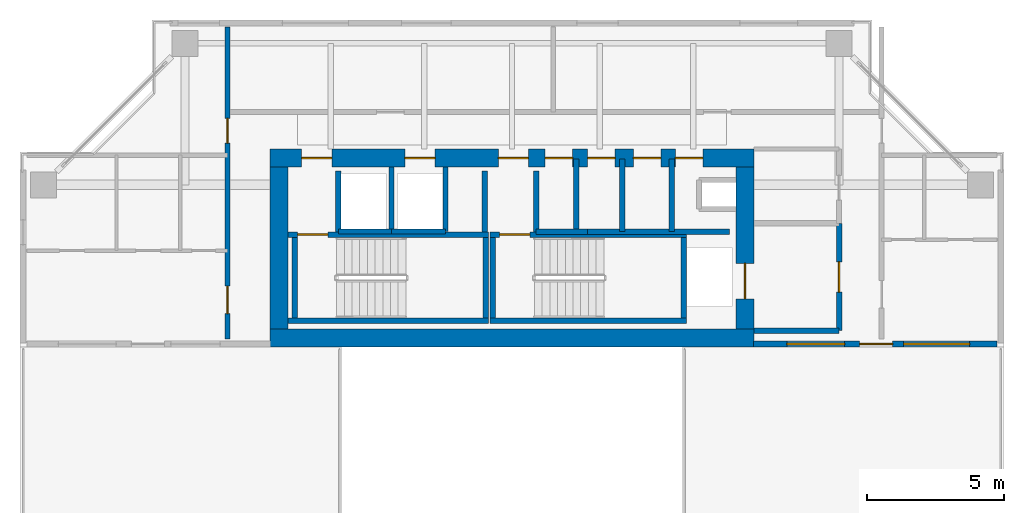
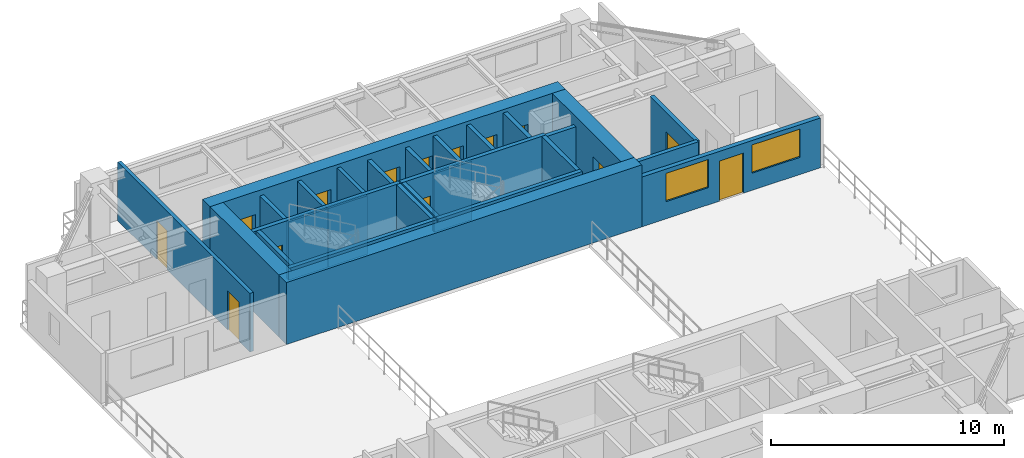
# One storey, part 9 of 14: 28 walls, 14 doors, 2 windows, 16 openings.
"""IFC4 building model written with IfcOpenShell, lengths in metres."""

from ifc_helpers import new_model, si_unit, direction, frame, frame_2d, origin, place, context, subcontext, project, spatial, rectangle, extrude, source, transform, mapped, material, layer, layer_set, type_object, element, fill, save


model = new_model("IFC4")

# Units and contexts
model_context = context("Model", 3, precision=1e-05, world=origin(), true_north=direction((0.0, 1.0)))
body_context = subcontext(model_context, "Body", "Model", "MODEL_VIEW")
ifc_project = project(units=[si_unit("LENGTHUNIT", "METRE"), si_unit("AREAUNIT", "SQUARE_METRE"), si_unit("VOLUMEUNIT", "CUBIC_METRE"), si_unit("PLANEANGLEUNIT", "RADIAN"), si_unit("MASSUNIT", "GRAM", prefix="KILO"), si_unit("THERMODYNAMICTEMPERATUREUNIT", "KELVIN"), si_unit("POWERUNIT", "WATT")], contexts=[model_context])

# Site, building, storey
site_placement = place(None, origin())
site = spatial("IfcSite", under=ifc_project, at=site_placement, CompositionType="ELEMENT")
building_placement = place(site_placement, origin())
building = spatial("IfcBuilding", under=site, at=building_placement, Name="Qiaomeng Ring Towers", CompositionType="ELEMENT")
storey_placement = place(building_placement, frame((0.0, 0.0, 153.5)))
storey = spatial("IfcBuildingStorey", under=building, at=storey_placement, Name="L44", CompositionType="ELEMENT", Elevation=153.5)

# Wall, openings, windows, door
ifc_material_1 = material(Name="Precast concrete C40", Category="concrete")
ifc_layer_1 = layer(ifc_material_1, 0.219970703125, Name="Precast concrete C40")
ifc_layer_set_1 = layer_set([ifc_layer_1], Name="Precast concrete C40")
wall_type_1 = type_object("IfcWallType", Name="ARC-WL-EW2", PredefinedType="STANDARD", material=ifc_layer_set_1)
wall_1_placement = place(storey_placement, frame((27.780029296875, 29.110107421875, 0.0), z_axis=(0.0, 0.0, 1.0), x_axis=(1.0, 0.0, 0.0)))
wall_1 = element("IfcWall", 1, at=wall_1_placement, inside=storey, type_object=wall_type_1, Name="L44 Portal Wing Wall NWING-E", PredefinedType="STANDARD", context=body_context, shape_type="SweptSolid", body=[
    extrude(rectangle(XDim=8.869873046875, YDim=0.219970703125, at=frame_2d((4.43505859375, 0.0))), origin(), (0.0, 0.0, 1.0), 2.610107421875),
])
opening_1_placement = place(wall_1_placement, frame((3.8701171875, 0.0, 0.0)))
opening_1 = element("IfcOpeningElement", 2, at=opening_1_placement, cuts=wall_1, Name="Opening BD1", PredefinedType="OPENING", context=body_context, shape_type="SweptSolid", body=[
    extrude(rectangle(XDim=1.199951171875, YDim=2.10009765625, at=frame_2d((0.60009765625, 1.050048828125))), frame((0.0, 0.119873046875, 0.0), z_axis=(0.0, -1.0, 0.0), x_axis=(1.0, 0.0, 0.0)), (0.0, 0.0, 1.0), 0.239990234375),
])
opening_2_placement = place(wall_1_placement, frame((1.219970703125, 0.0, 0.89990234375)))
opening_2 = element("IfcOpeningElement", 3, at=opening_2_placement, cuts=wall_1, Name="Opening WN4", PredefinedType="OPENING", context=body_context, shape_type="SweptSolid", body=[
    extrude(rectangle(XDim=2.10009765625, YDim=1.47998046875, at=frame_2d((1.050048828125, 0.739990234375))), frame((0.0, 0.119873046875, 0.0), z_axis=(0.0, -1.0, 0.0), x_axis=(1.0, 0.0, 0.0)), (0.0, 0.0, 1.0), 0.239990234375),
])
opening_3_placement = place(wall_1_placement, frame((5.469970703125, 0.0, 0.89990234375)))
opening_3 = element("IfcOpeningElement", 4, at=opening_3_placement, cuts=wall_1, Name="Opening WN6", PredefinedType="OPENING", context=body_context, shape_type="SweptSolid", body=[
    extrude(rectangle(XDim=2.39990234375, YDim=1.47998046875, at=frame_2d((1.199951171875, 0.739990234375))), frame((0.0, 0.119873046875, 0.0), z_axis=(0.0, -1.0, 0.0), x_axis=(1.0, 0.0, 0.0)), (0.0, 0.0, 1.0), 0.239990234375),
])
ifc_material_2 = material(Name="Low-E dark-grey laminated double glazing", Category="glass")
window_type_1 = type_object("IfcWindowType", Name="ARC-WN-4", PartitioningType="TRIPLE_PANEL_VERTICAL", PredefinedType="WINDOW", material=ifc_material_2)
shared_shape_1 = source(origin(), body_context, "Body", "SweptSolid", [
    extrude(rectangle(XDim=2.10009765625, YDim=1.47998046875, at=frame_2d((1.050048828125, 0.739990234375))), frame((0.0, 0.030029296875, 0.0), z_axis=(0.0, -1.0, 0.0), x_axis=(1.0, 0.0, 0.0)), (0.0, 0.0, 1.0), 0.06005859375),
])
window_1_placement = place(opening_2_placement, origin())
window_1 = element("IfcWindow", 5, at=window_1_placement, inside=storey, type_object=window_type_1, Name="L44 Exterior Window WN4", OverallHeight=1.47998046875, OverallWidth=2.10009765625, PartitioningType="TRIPLE_PANEL_VERTICAL", PredefinedType="WINDOW", context=body_context, shape_type="MappedRepresentation", body=[
    mapped(shared_shape_1, transform((0.0, 0.0, 0.0), x_axis=(1.0, 0.0, 0.0), y_axis=(0.0, 1.0, 0.0), z_axis=(0.0, 0.0, 1.0), scale=1.0)),
])
fill(opening_2, window_1)
window_type_2 = type_object("IfcWindowType", Name="ARC-WN-6", PartitioningType="TRIPLE_PANEL_VERTICAL", PredefinedType="WINDOW", material=ifc_material_2)
shared_shape_2 = source(origin(), body_context, "Body", "SweptSolid", [
    extrude(rectangle(XDim=2.39990234375, YDim=1.47998046875, at=frame_2d((1.199951171875, 0.739990234375))), frame((0.0, 0.030029296875, 0.0), z_axis=(0.0, -1.0, 0.0), x_axis=(1.0, 0.0, 0.0)), (0.0, 0.0, 1.0), 0.06005859375),
])
window_2_placement = place(opening_3_placement, origin())
window_2 = element("IfcWindow", 6, at=window_2_placement, inside=storey, type_object=window_type_2, Name="L44 Exterior Window WN6", OverallHeight=1.47998046875, OverallWidth=2.39990234375, PartitioningType="TRIPLE_PANEL_VERTICAL", PredefinedType="WINDOW", context=body_context, shape_type="MappedRepresentation", body=[
    mapped(shared_shape_2, transform((0.0, 0.0, 0.0), x_axis=(1.0, 0.0, 0.0), y_axis=(0.0, 1.0, 0.0), z_axis=(0.0, 0.0, 1.0), scale=1.0)),
])
fill(opening_3, window_2)
door_type_1 = type_object("IfcDoorType", Name="ARC-DR-BD1", OperationType="NOTDEFINED", PredefinedType="DOOR", material=ifc_material_2)
shared_shape_3 = source(origin(), body_context, "Body", "SweptSolid", [
    extrude(rectangle(XDim=1.199951171875, YDim=2.10009765625, at=frame_2d((0.60009765625, 1.050048828125))), frame((0.0, 0.02490234375, 0.0), z_axis=(0.0, -1.0, 0.0), x_axis=(1.0, 0.0, 0.0)), (0.0, 0.0, 1.0), 0.050048828125),
])
door_1_placement = place(opening_1_placement, frame((1.199951171875, 0.0, 0.0), z_axis=(0.0, 0.0, 1.0), x_axis=(-1.0, 0.0, 0.0)))
door_1 = element("IfcDoor", 7, at=door_1_placement, inside=storey, type_object=door_type_1, Name="L44 Void-Portal Terrace Door NWING-E", OperationType="SINGLE_SWING_LEFT", OverallHeight=2.10009765625, OverallWidth=1.199951171875, PredefinedType="DOOR", context=body_context, shape_type="MappedRepresentation", body=[
    mapped(shared_shape_3, transform((0.0, 0.0, 0.0), x_axis=(1.0, 0.0, 0.0), y_axis=(0.0, 1.0, 0.0), z_axis=(0.0, 0.0, 1.0), scale=1.0)),
])
fill(opening_1, door_1)

# Wall
ifc_material_3 = material(Name="Autoclaved aerated concrete block", Category="concrete")
ifc_layer_2 = layer(ifc_material_3, 0.199951171875, Name="Autoclaved aerated concrete block")
ifc_layer_set_2 = layer_set([ifc_layer_2], Name="Autoclaved aerated concrete block")
wall_type_2 = type_object("IfcWallType", Name="ARC-WL-PW1", PredefinedType="PARTITIONING", material=ifc_layer_set_2)
wall_2_placement = place(storey_placement, frame((27.800048828125, 29.60009765625, 0.0), z_axis=(0.0, 0.0, 1.0), x_axis=(1.0, 0.0, 0.0)))
element("IfcWall", 8, at=wall_2_placement, inside=storey, type_object=wall_type_2, Name="L44 Interior Wall PW1", PredefinedType="PARTITIONING", context=body_context, shape_type="SweptSolid", body=[
    extrude(rectangle(XDim=3.099853515625, YDim=0.199951171875, at=frame_2d((1.5498046875, 0.0))), origin(), (0.0, 0.0, 1.0), 3.070068359375),
])

# Wall, opening, door
wall_3_placement = place(storey_placement, frame((30.89990234375, 29.60009765625, 0.0), z_axis=(0.0, 0.0, 1.0), x_axis=(0.0, 1.0, 0.0)))
wall_3 = element("IfcWall", 9, at=wall_3_placement, inside=storey, type_object=wall_type_2, Name="L44 Interior Wall PW1", PredefinedType="PARTITIONING", context=body_context, shape_type="SweptSolid", body=[
    extrude(rectangle(XDim=3.89990234375, YDim=0.199951171875, at=frame_2d((1.949951171875, 0.0))), origin(), (0.0, 0.0, 1.0), 3.070068359375),
])
opening_4_placement = place(wall_3_placement, frame((1.39990234375, 0.0, 0.0)))
opening_4 = element("IfcOpeningElement", 10, at=opening_4_placement, cuts=wall_3, Name="Opening FD3", PredefinedType="OPENING", context=body_context, shape_type="SweptSolid", body=[
    extrude(rectangle(XDim=1.10009765625, YDim=2.050048828125, at=frame_2d((0.550048828125, 1.02490234375))), frame((0.0, 0.10986328125, 0.0), z_axis=(0.0, -1.0, 0.0), x_axis=(1.0, 0.0, 0.0)), (0.0, 0.0, 1.0), 0.219970703125),
])
ifc_material_4 = material(Name="Galvanised steel", Category="steel")
door_type_2 = type_object("IfcDoorType", Name="ARC-DR-FD3", OperationType="NOTDEFINED", PredefinedType="DOOR", material=ifc_material_4)
shared_shape_4 = source(origin(), body_context, "Body", "SweptSolid", [
    extrude(rectangle(XDim=1.10009765625, YDim=2.050048828125, at=frame_2d((0.550048828125, 1.02490234375))), frame((0.0, 0.02490234375, 0.0), z_axis=(0.0, -1.0, 0.0), x_axis=(1.0, 0.0, 0.0)), (0.0, 0.0, 1.0), 0.050048828125),
])
door_2_placement = place(opening_4_placement, origin())
door_2 = element("IfcDoor", 11, at=door_2_placement, inside=storey, type_object=door_type_2, Name="L44 North FF Lobby Door", OperationType="SINGLE_SWING_LEFT", OverallHeight=2.050048828125, OverallWidth=1.10009765625, PredefinedType="DOOR", context=body_context, shape_type="MappedRepresentation", body=[
    mapped(shared_shape_4, transform((0.0, 0.0, 0.0), x_axis=(1.0, 0.0, 0.0), y_axis=(0.0, 1.0, 0.0), z_axis=(0.0, 0.0, 1.0), scale=1.0)),
])
fill(opening_4, door_2)

# Walls
for number, where, z_axis, x_axis, name in (
    (12, (12.679931640625, 33.18994140625, 0.0), (0.0, 0.0, 1.0), (0.0, 1.0, 0.0), "L44 Interior Wall PW1"),
    (13, (18.0, 33.18994140625, 0.0), (0.0, 0.0, 1.0), (0.0, 1.0, 0.0), "L44 Interior Wall PW1"),
    (14, (19.8798828125, 33.18994140625, 0.0), (0.0, 0.0, 1.0), (0.0, 1.0, 0.0), "L44 Interior Wall PW1"),
):
    element("IfcWall", number, at=place(storey_placement, frame(where, z_axis=z_axis, x_axis=x_axis)), inside=storey, type_object=wall_type_2, Name=name, PredefinedType="PARTITIONING", context=body_context, shape_type="SweptSolid", body=[
        extrude(rectangle(XDim=2.2099609375, YDim=0.199951171875, at=frame_2d((1.10498046875, 0.0))), origin(), (0.0, 0.0, 1.0), 3.070068359375),
    ])
wall_4_placement = place(storey_placement, frame((24.820068359375, 33.199951171875, 0.0), z_axis=(0.0, 0.0, 1.0), x_axis=(0.0, 1.0, 0.0)))
element("IfcWall", 15, at=wall_4_placement, inside=storey, type_object=wall_type_2, Name="L44 Interior Wall PW1", PredefinedType="PARTITIONING", context=body_context, shape_type="SweptSolid", body=[
    extrude(rectangle(XDim=2.650146484375, YDim=0.199951171875, at=frame_2d((1.3251953125, 0.0))), origin(), (0.0, 0.0, 1.0), 3.070068359375),
])
wall_5_placement = place(storey_placement, frame((19.8798828125, 33.199951171875, 0.0), z_axis=(0.0, 0.0, 1.0), x_axis=(1.0, 0.0, 0.0)))
element("IfcWall", 16, at=wall_5_placement, inside=storey, type_object=wall_type_2, Name="L44 Interior Wall PW1", PredefinedType="PARTITIONING", context=body_context, shape_type="SweptSolid", body=[
    extrude(rectangle(XDim=1.8701171875, YDim=0.199951171875, at=frame_2d((0.93505859375, 0.0))), origin(), (0.0, 0.0, 1.0), 3.070068359375),
])
for number, where, z_axis, x_axis, name in (
    (17, (21.340087890625, 33.199951171875, 0.0), (0.0, 0.0, 1.0), (0.0, 1.0, 0.0), "L44 Interior Wall PW1"),
    (18, (23.010009765625, 33.199951171875, 0.0), (0.0, 0.0, 1.0), (0.0, 1.0, 0.0), "L44 Interior Wall PW1"),
):
    element("IfcWall", number, at=place(storey_placement, frame(where, z_axis=z_axis, x_axis=x_axis)), inside=storey, type_object=wall_type_2, Name=name, PredefinedType="PARTITIONING", context=body_context, shape_type="SweptSolid", body=[
        extrude(rectangle(XDim=2.650146484375, YDim=0.199951171875, at=frame_2d((1.3251953125, 0.0))), origin(), (0.0, 0.0, 1.0), 3.070068359375),
    ])
wall_6_placement = place(storey_placement, frame((21.75, 33.199951171875, 0.0), z_axis=(0.0, 0.0, 1.0), x_axis=(1.0, 0.0, 0.0)))
element("IfcWall", 19, at=wall_6_placement, inside=storey, type_object=wall_type_2, Name="L44 Interior Wall PW1", PredefinedType="PARTITIONING", context=body_context, shape_type="SweptSolid", body=[
    extrude(rectangle(XDim=5.169921875, YDim=0.199951171875, at=frame_2d((2.5849609375, 0.0))), origin(), (0.0, 0.0, 1.0), 3.070068359375),
])

# Wall, openings, doors
ifc_layer_3 = layer(ifc_material_3, 0.179931640625, Name="Autoclaved aerated concrete block")
ifc_layer_set_3 = layer_set([ifc_layer_3], Name="Autoclaved aerated concrete block")
wall_type_3 = type_object("IfcWallType", Name="ARC-WL-PW2", PredefinedType="PARTITIONING", material=ifc_layer_set_3)
wall_7_placement = place(storey_placement, frame((8.64990234375, 29.300048828125, 0.0), z_axis=(0.0, 0.0, 1.0), x_axis=(0.0, 1.0, 0.0)))
wall_7 = element("IfcWall", 20, at=wall_7_placement, inside=storey, type_object=wall_type_3, Name="L44 Interior Wall PW2", PredefinedType="PARTITIONING", context=body_context, shape_type="SweptSolid", body=[
    extrude(rectangle(XDim=11.349853515625, YDim=0.179931640625, at=frame_2d((5.6748046875, 0.0))), origin(), (0.0, 0.0, 1.0), 3.070068359375),
])
opening_5_placement = place(wall_7_placement, frame((0.9150390625, 0.0, 0.0)))
opening_5 = element("IfcOpeningElement", 21, at=opening_5_placement, cuts=wall_7, Name="Opening FD4", PredefinedType="OPENING", context=body_context, shape_type="SweptSolid", body=[
    extrude(rectangle(XDim=1.0, YDim=2.050048828125, at=frame_2d((0.5, 1.02490234375))), frame((0.0, 0.099853515625, 0.0), z_axis=(0.0, -1.0, 0.0), x_axis=(1.0, 0.0, 0.0)), (0.0, 0.0, 1.0), 0.199951171875),
])
opening_6_placement = place(wall_7_placement, frame((7.1201171875, 0.0, 0.0)))
opening_6 = element("IfcOpeningElement", 22, at=opening_6_placement, cuts=wall_7, Name="Opening ID1", PredefinedType="OPENING", context=body_context, shape_type="SweptSolid", body=[
    extrude(rectangle(XDim=0.89990234375, YDim=2.050048828125, at=frame_2d((0.449951171875, 1.02490234375))), frame((0.0, 0.099853515625, 0.0), z_axis=(0.0, -1.0, 0.0), x_axis=(1.0, 0.0, 0.0)), (0.0, 0.0, 1.0), 0.199951171875),
])
ifc_material_5 = material(Name="Engineered fire-rated oak timber", Category="wood")
door_type_3 = type_object("IfcDoorType", Name="ARC-DR-FD4", OperationType="NOTDEFINED", PredefinedType="DOOR", material=ifc_material_5)
shared_shape_5 = source(origin(), body_context, "Body", "SweptSolid", [
    extrude(rectangle(XDim=1.0, YDim=2.050048828125, at=frame_2d((0.5, 1.02490234375))), frame((0.0, 0.02490234375, 0.0), z_axis=(0.0, -1.0, 0.0), x_axis=(1.0, 0.0, 0.0)), (0.0, 0.0, 1.0), 0.050048828125),
])
door_3_placement = place(opening_5_placement, origin())
door_3 = element("IfcDoor", 23, at=door_3_placement, inside=storey, type_object=door_type_3, Name="L44 Door FD4", OperationType="SINGLE_SWING_RIGHT", OverallHeight=2.050048828125, OverallWidth=1.0, PredefinedType="DOOR", context=body_context, shape_type="MappedRepresentation", body=[
    mapped(shared_shape_5, transform((0.0, 0.0, 0.0), x_axis=(1.0, 0.0, 0.0), y_axis=(0.0, 1.0, 0.0), z_axis=(0.0, 0.0, 1.0), scale=1.0)),
])
fill(opening_5, door_3)
ifc_material_6 = material(Name="Engineered oak timber", Category="wood")
door_type_4 = type_object("IfcDoorType", Name="ARC-DR-ID1", OperationType="NOTDEFINED", PredefinedType="DOOR", material=ifc_material_6)
shared_shape_6 = source(origin(), body_context, "Body", "SweptSolid", [
    extrude(rectangle(XDim=0.89990234375, YDim=2.050048828125, at=frame_2d((0.449951171875, 1.02490234375))), frame((0.0, 0.02490234375, 0.0), z_axis=(0.0, -1.0, 0.0), x_axis=(1.0, 0.0, 0.0)), (0.0, 0.0, 1.0), 0.050048828125),
])
door_4_placement = place(opening_6_placement, origin())
door_4 = element("IfcDoor", 24, at=door_4_placement, inside=storey, type_object=door_type_4, Name="L44 Door ID1", OperationType="SINGLE_SWING_LEFT", OverallHeight=2.050048828125, OverallWidth=0.89990234375, PredefinedType="DOOR", context=body_context, shape_type="MappedRepresentation", body=[
    mapped(shared_shape_6, transform((0.0, 0.0, 0.0), x_axis=(1.0, 0.0, 0.0), y_axis=(0.0, 1.0, 0.0), z_axis=(0.0, 0.0, 1.0), scale=1.0)),
])
fill(opening_6, door_4)

# Walls
ifc_material_7 = material(Name="Concrete C40", Category="concrete")
ifc_layer_4 = layer(ifc_material_7, 0.199951171875, Name="Concrete C40")
ifc_layer_set_4 = layer_set([ifc_layer_4], Name="Concrete C40")
wall_type_4 = type_object("IfcWallType", Name="STR-WL-STSHAFT", PredefinedType="SHEAR", material=ifc_layer_set_4)
wall_8_placement = place(storey_placement, frame((12.679931640625, 33.199951171875, 0.0), z_axis=(0.0, 0.0, 1.0), x_axis=(1.0, 0.0, 0.0)))
element("IfcWall", 25, at=wall_8_placement, inside=storey, type_object=wall_type_4, Name="L44 Lift LP5 Shaft Back Wall", PredefinedType="SHEAR", context=body_context, shape_type="SweptSolid", body=[
    extrude(rectangle(XDim=1.940185546875, YDim=0.179931640625, at=frame_2d((0.97021484375, 0.0))), origin(), (0.0, 0.0, 1.0), 3.070068359375),
])
wall_9_placement = place(storey_placement, frame((14.6201171875, 33.199951171875, 0.0), z_axis=(0.0, 0.0, 1.0), x_axis=(0.0, 1.0, 0.0)))
element("IfcWall", 26, at=wall_9_placement, inside=storey, type_object=wall_type_4, Name="L44 Lift LP5-LP3 Shaft Divider Wall", PredefinedType="SHEAR", context=body_context, shape_type="SweptSolid", body=[
    extrude(rectangle(XDim=2.35009765625, YDim=0.179931640625, at=frame_2d((1.175048828125, 0.0))), origin(), (0.0, 0.0, 1.0), 3.070068359375),
])
wall_10_placement = place(storey_placement, frame((14.6201171875, 33.199951171875, 0.0), z_axis=(0.0, 0.0, 1.0), x_axis=(1.0, 0.0, 0.0)))
element("IfcWall", 27, at=wall_10_placement, inside=storey, type_object=wall_type_4, Name="L44 Lift LP3 Shaft Back Wall", PredefinedType="SHEAR", context=body_context, shape_type="SweptSolid", body=[
    extrude(rectangle(XDim=1.9599609375, YDim=0.179931640625, at=frame_2d((0.97998046875, 0.0))), origin(), (0.0, 0.0, 1.0), 3.070068359375),
])
wall_11_placement = place(storey_placement, frame((16.580078125, 33.199951171875, 0.0), z_axis=(0.0, 0.0, 1.0), x_axis=(0.0, 1.0, 0.0)))
element("IfcWall", 28, at=wall_11_placement, inside=storey, type_object=wall_type_4, Name="L44 Lift LP3 East Shaft Wall", PredefinedType="SHEAR", context=body_context, shape_type="SweptSolid", body=[
    extrude(rectangle(XDim=2.35009765625, YDim=0.179931640625, at=frame_2d((1.175048828125, 0.0))), origin(), (0.0, 0.0, 1.0), 3.070068359375),
])
wall_12_placement = place(storey_placement, frame((10.85009765625, 29.949951171875, 0.0), z_axis=(0.0, 0.0, 1.0), x_axis=(1.0, 0.0, 0.0)))
element("IfcWall", 29, at=wall_12_placement, inside=storey, type_object=wall_type_4, Name="L44 Stair ST1 South Shaft Shear Wall", PredefinedType="SHEAR", context=body_context, shape_type="SweptSolid", body=[
    extrude(rectangle(XDim=7.2998046875, YDim=0.199951171875, at=frame_2d((3.64990234375, 0.0))), origin(), (0.0, 0.0, 1.0), 3.25),
])

# Wall, opening, door
wall_13_placement = place(storey_placement, frame((10.85009765625, 33.090087890625, 0.0), z_axis=(0.0, 0.0, 1.0), x_axis=(1.0, 0.0, 0.0)))
wall_13 = element("IfcWall", 30, at=wall_13_placement, inside=storey, type_object=wall_type_4, Name="L44 Stair ST1 North Shaft Shear Wall", PredefinedType="SHEAR", context=body_context, shape_type="SweptSolid", body=[
    extrude(rectangle(XDim=7.2998046875, YDim=0.199951171875, at=frame_2d((3.64990234375, 0.0))), origin(), (0.0, 0.0, 1.0), 3.25),
])
opening_7_placement = place(wall_13_placement, frame((0.35009765625, 0.0, 0.0)))
opening_7 = element("IfcOpeningElement", 31, at=opening_7_placement, cuts=wall_13, Name="Opening FD3", PredefinedType="OPENING", context=body_context, shape_type="SweptSolid", body=[
    extrude(rectangle(XDim=1.10009765625, YDim=2.050048828125, at=frame_2d((0.550048828125, 1.02490234375))), frame((0.0, 0.10986328125, 0.0), z_axis=(0.0, -1.0, 0.0), x_axis=(1.0, 0.0, 0.0)), (0.0, 0.0, 1.0), 0.219970703125),
])
door_5_placement = place(opening_7_placement, origin())
door_5 = element("IfcDoor", 32, at=door_5_placement, inside=storey, type_object=door_type_2, Name="L44 Stair ST1 Exit Door", OperationType="SINGLE_SWING_RIGHT", OverallHeight=2.050048828125, OverallWidth=1.10009765625, PredefinedType="DOOR", context=body_context, shape_type="MappedRepresentation", body=[
    mapped(shared_shape_4, transform((0.0, 0.0, 0.0), x_axis=(1.0, 0.0, 0.0), y_axis=(0.0, 1.0, 0.0), z_axis=(0.0, 0.0, 1.0), scale=1.0)),
])
fill(opening_7, door_5)

# Walls
for number, where, z_axis, x_axis, name in (
    (33, (11.10009765625, 30.050048828125, 0.0), (0.0, 0.0, 1.0), (0.0, 1.0, 0.0), "L44 Stair ST1 West Shaft Shear Wall"),
    (34, (18.050048828125, 30.050048828125, 0.0), (0.0, 0.0, 1.0), (0.0, 1.0, 0.0), "L44 Stair ST1 East Shaft Shear Wall"),
):
    element("IfcWall", number, at=place(storey_placement, frame(where, z_axis=z_axis, x_axis=x_axis)), inside=storey, type_object=wall_type_4, Name=name, PredefinedType="SHEAR", context=body_context, shape_type="SweptSolid", body=[
        extrude(rectangle(XDim=2.93994140625, YDim=0.199951171875, at=frame_2d((1.469970703125, 0.0))), origin(), (0.0, 0.0, 1.0), 3.25),
    ])
wall_14_placement = place(storey_placement, frame((18.199951171875, 29.949951171875, 0.0), z_axis=(0.0, 0.0, 1.0), x_axis=(1.0, 0.0, 0.0)))
element("IfcWall", 35, at=wall_14_placement, inside=storey, type_object=wall_type_4, Name="L44 Stair ST2 South Shaft Shear Wall", PredefinedType="SHEAR", context=body_context, shape_type="SweptSolid", body=[
    extrude(rectangle(XDim=7.150146484375, YDim=0.199951171875, at=frame_2d((3.5751953125, 0.0))), origin(), (0.0, 0.0, 1.0), 3.25),
])

# Wall, opening, door
wall_15_placement = place(storey_placement, frame((18.199951171875, 33.090087890625, 0.0), z_axis=(0.0, 0.0, 1.0), x_axis=(1.0, 0.0, 0.0)))
wall_15 = element("IfcWall", 36, at=wall_15_placement, inside=storey, type_object=wall_type_4, Name="L44 Stair ST2 North Shaft Shear Wall", PredefinedType="SHEAR", context=body_context, shape_type="SweptSolid", body=[
    extrude(rectangle(XDim=7.150146484375, YDim=0.199951171875, at=frame_2d((3.5751953125, 0.0))), origin(), (0.0, 0.0, 1.0), 3.25),
])
opening_8_placement = place(wall_15_placement, frame((0.35009765625, 0.0, 0.0)))
opening_8 = element("IfcOpeningElement", 37, at=opening_8_placement, cuts=wall_15, Name="Opening FD3", PredefinedType="OPENING", context=body_context, shape_type="SweptSolid", body=[
    extrude(rectangle(XDim=1.10009765625, YDim=2.050048828125, at=frame_2d((0.550048828125, 1.02490234375))), frame((0.0, 0.10986328125, 0.0), z_axis=(0.0, -1.0, 0.0), x_axis=(1.0, 0.0, 0.0)), (0.0, 0.0, 1.0), 0.219970703125),
])
door_6_placement = place(opening_8_placement, origin())
door_6 = element("IfcDoor", 38, at=door_6_placement, inside=storey, type_object=door_type_2, Name="L44 Stair ST2 Exit Door", OperationType="SINGLE_SWING_RIGHT", OverallHeight=2.050048828125, OverallWidth=1.10009765625, PredefinedType="DOOR", context=body_context, shape_type="MappedRepresentation", body=[
    mapped(shared_shape_4, transform((0.0, 0.0, 0.0), x_axis=(1.0, 0.0, 0.0), y_axis=(0.0, 1.0, 0.0), z_axis=(0.0, 0.0, 1.0), scale=1.0)),
])
fill(opening_8, door_6)

# Walls
for number, where, z_axis, x_axis, name in (
    (39, (18.300048828125, 30.050048828125, 0.0), (0.0, 0.0, 1.0), (0.0, 1.0, 0.0), "L44 Stair ST2 West Shaft Shear Wall"),
    (40, (25.25, 30.050048828125, 0.0), (0.0, 0.0, 1.0), (0.0, 1.0, 0.0), "L44 Stair ST2 East Shaft Shear Wall"),
):
    element("IfcWall", number, at=place(storey_placement, frame(where, z_axis=z_axis, x_axis=x_axis)), inside=storey, type_object=wall_type_4, Name=name, PredefinedType="SHEAR", context=body_context, shape_type="SweptSolid", body=[
        extrude(rectangle(XDim=2.93994140625, YDim=0.199951171875, at=frame_2d((1.469970703125, 0.0))), origin(), (0.0, 0.0, 1.0), 3.25),
    ])
ifc_material_8 = material(Name="Concrete C50", Category="concrete")
ifc_layer_5 = layer(ifc_material_8, 0.64990234375, Name="Concrete C50")
ifc_layer_set_5 = layer_set([ifc_layer_5], Name="Concrete C50")
wall_type_5 = type_object("IfcWallType", Name="STR-WL-SW2B", PredefinedType="SHEAR", material=ifc_layer_set_5)
wall_16_placement = place(storey_placement, frame((10.199951171875, 29.324951171875, 0.0), z_axis=(0.0, 0.0, 1.0), x_axis=(1.0, 0.0, 0.0)))
element("IfcWall", 41, at=wall_16_placement, inside=storey, type_object=wall_type_5, Name="L44 T1NC south core shear wall", PredefinedType="SHEAR", context=body_context, shape_type="SweptSolid", body=[
    extrude(rectangle(XDim=17.60009765625, YDim=0.64990234375, at=frame_2d((8.800048828125, 0.0))), origin(), (0.0, 0.0, 1.0), 3.25),
])

# Wall, openings, doors
wall_17_placement = place(storey_placement, frame((10.199951171875, 35.875, 0.0), z_axis=(0.0, 0.0, 1.0), x_axis=(1.0, 0.0, 0.0)))
wall_17 = element("IfcWall", 42, at=wall_17_placement, inside=storey, type_object=wall_type_5, Name="L44 T1NC north core shear wall", PredefinedType="SHEAR", context=body_context, shape_type="SweptSolid", body=[
    extrude(rectangle(XDim=17.60009765625, YDim=0.64990234375, at=frame_2d((8.800048828125, 0.0))), origin(), (0.0, 0.0, 1.0), 3.25),
])
opening_9_placement = place(wall_17_placement, frame((1.14990234375, 0.0, 0.0)))
opening_9 = element("IfcOpeningElement", 43, at=opening_9_placement, cuts=wall_17, Name="Opening FD3", PredefinedType="OPENING", context=body_context, shape_type="SweptSolid", body=[
    extrude(rectangle(XDim=1.10009765625, YDim=2.050048828125, at=frame_2d((0.550048828125, 1.02490234375))), frame((0.0, 0.3349609375, 0.0), z_axis=(0.0, -1.0, 0.0), x_axis=(1.0, 0.0, 0.0)), (0.0, 0.0, 1.0), 0.669921875),
])
opening_10_placement = place(wall_17_placement, frame((8.300048828125, 0.0, 0.0)))
opening_10 = element("IfcOpeningElement", 44, at=opening_10_placement, cuts=wall_17, Name="Opening FD3", PredefinedType="OPENING", context=body_context, shape_type="SweptSolid", body=[
    extrude(rectangle(XDim=1.10009765625, YDim=2.050048828125, at=frame_2d((0.550048828125, 1.02490234375))), frame((0.0, 0.3349609375, 0.0), z_axis=(0.0, -1.0, 0.0), x_axis=(1.0, 0.0, 0.0)), (0.0, 0.0, 1.0), 0.669921875),
])
opening_11_placement = place(wall_17_placement, frame((4.89990234375, 0.0, 0.0)))
opening_11 = element("IfcOpeningElement", 45, at=opening_11_placement, cuts=wall_17, Name="Opening LD1", PredefinedType="OPENING", context=body_context, shape_type="SweptSolid", body=[
    extrude(rectangle(XDim=1.10009765625, YDim=2.050048828125, at=frame_2d((0.550048828125, 1.02490234375))), frame((0.0, 0.3349609375, 0.0), z_axis=(0.0, -1.0, 0.0), x_axis=(1.0, 0.0, 0.0)), (0.0, 0.0, 1.0), 0.669921875),
])
opening_12_placement = place(wall_17_placement, frame((14.739990234375, 0.0, 0.0)))
opening_12 = element("IfcOpeningElement", 46, at=opening_12_placement, cuts=wall_17, Name="Opening FD1", PredefinedType="OPENING", context=body_context, shape_type="SweptSolid", body=[
    extrude(rectangle(XDim=1.0, YDim=2.050048828125, at=frame_2d((0.5, 1.02490234375))), frame((0.0, 0.3349609375, 0.0), z_axis=(0.0, -1.0, 0.0), x_axis=(1.0, 0.0, 0.0)), (0.0, 0.0, 1.0), 0.669921875),
])
opening_13_placement = place(wall_17_placement, frame((10.0048828125, 0.0, 0.0)))
opening_13 = element("IfcOpeningElement", 47, at=opening_13_placement, cuts=wall_17, Name="Opening FD1", PredefinedType="OPENING", context=body_context, shape_type="SweptSolid", body=[
    extrude(rectangle(XDim=1.0, YDim=2.050048828125, at=frame_2d((0.5, 1.02490234375))), frame((0.0, 0.3349609375, 0.0), z_axis=(0.0, -1.0, 0.0), x_axis=(1.0, 0.0, 0.0)), (0.0, 0.0, 1.0), 0.669921875),
])
opening_14_placement = place(wall_17_placement, frame((11.550048828125, 0.0, 0.0)))
opening_14 = element("IfcOpeningElement", 48, at=opening_14_placement, cuts=wall_17, Name="Opening FD1", PredefinedType="OPENING", context=body_context, shape_type="SweptSolid", body=[
    extrude(rectangle(XDim=1.0, YDim=2.050048828125, at=frame_2d((0.5, 1.02490234375))), frame((0.0, 0.3349609375, 0.0), z_axis=(0.0, -1.0, 0.0), x_axis=(1.0, 0.0, 0.0)), (0.0, 0.0, 1.0), 0.669921875),
])
opening_15_placement = place(wall_17_placement, frame((13.215087890625, 0.0, 0.0)))
opening_15 = element("IfcOpeningElement", 49, at=opening_15_placement, cuts=wall_17, Name="Opening FD1", PredefinedType="OPENING", context=body_context, shape_type="SweptSolid", body=[
    extrude(rectangle(XDim=1.0, YDim=2.050048828125, at=frame_2d((0.5, 1.02490234375))), frame((0.0, 0.3349609375, 0.0), z_axis=(0.0, -1.0, 0.0), x_axis=(1.0, 0.0, 0.0)), (0.0, 0.0, 1.0), 0.669921875),
])
door_7_placement = place(opening_9_placement, origin())
door_7 = element("IfcDoor", 50, at=door_7_placement, inside=storey, type_object=door_type_2, Name="L44 Stair ST1 Lobby Door", OperationType="SINGLE_SWING_LEFT", OverallHeight=2.050048828125, OverallWidth=1.10009765625, PredefinedType="DOOR", context=body_context, shape_type="MappedRepresentation", body=[
    mapped(shared_shape_4, transform((0.0, 0.0, 0.0), x_axis=(1.0, 0.0, 0.0), y_axis=(0.0, 1.0, 0.0), z_axis=(0.0, 0.0, 1.0), scale=1.0)),
])
fill(opening_9, door_7)
door_8_placement = place(opening_10_placement, origin())
door_8 = element("IfcDoor", 51, at=door_8_placement, inside=storey, type_object=door_type_2, Name="L44 Stair ST2 Lobby Door", OperationType="SINGLE_SWING_LEFT", OverallHeight=2.050048828125, OverallWidth=1.10009765625, PredefinedType="DOOR", context=body_context, shape_type="MappedRepresentation", body=[
    mapped(shared_shape_4, transform((0.0, 0.0, 0.0), x_axis=(1.0, 0.0, 0.0), y_axis=(0.0, 1.0, 0.0), z_axis=(0.0, 0.0, 1.0), scale=1.0)),
])
fill(opening_10, door_8)
ifc_material_9 = material(Name="Stainless steel 316", Category="steel")
door_type_5 = type_object("IfcDoorType", Name="ARC-DR-LD1", OperationType="NOTDEFINED", PredefinedType="DOOR", material=ifc_material_9)
door_9_placement = place(opening_11_placement, origin())
door_9 = element("IfcDoor", 52, at=door_9_placement, inside=storey, type_object=door_type_5, Name="L44 Mid-Zone Lift LP3 Landing Door", OperationType="SLIDING_TO_LEFT", OverallHeight=2.050048828125, OverallWidth=1.10009765625, PredefinedType="DOOR", context=body_context, shape_type="MappedRepresentation", body=[
    mapped(shared_shape_4, transform((0.0, 0.0, 0.0), x_axis=(1.0, 0.0, 0.0), y_axis=(0.0, 1.0, 0.0), z_axis=(0.0, 0.0, 1.0), scale=1.0)),
])
fill(opening_11, door_9)
door_type_6 = type_object("IfcDoorType", Name="ARC-DR-FD1", OperationType="NOTDEFINED", PredefinedType="DOOR", material=ifc_material_4)
door_10_placement = place(opening_12_placement, origin())
door_10 = element("IfcDoor", 53, at=door_10_placement, inside=storey, type_object=door_type_6, Name="L44 North Electrical Riser Door", OperationType="SINGLE_SWING_LEFT", OverallHeight=2.050048828125, OverallWidth=1.0, PredefinedType="DOOR", context=body_context, shape_type="MappedRepresentation", body=[
    mapped(shared_shape_5, transform((0.0, 0.0, 0.0), x_axis=(1.0, 0.0, 0.0), y_axis=(0.0, 1.0, 0.0), z_axis=(0.0, 0.0, 1.0), scale=1.0)),
])
fill(opening_12, door_10)
door_11_placement = place(opening_13_placement, origin())
door_11 = element("IfcDoor", 54, at=door_11_placement, inside=storey, type_object=door_type_6, Name="L44 North Cleaners Cupboard Door", OperationType="SINGLE_SWING_LEFT", OverallHeight=2.050048828125, OverallWidth=1.0, PredefinedType="DOOR", context=body_context, shape_type="MappedRepresentation", body=[
    mapped(shared_shape_5, transform((0.0, 0.0, 0.0), x_axis=(1.0, 0.0, 0.0), y_axis=(0.0, 1.0, 0.0), z_axis=(0.0, 0.0, 1.0), scale=1.0)),
])
fill(opening_13, door_11)
door_12_placement = place(opening_14_placement, origin())
door_12 = element("IfcDoor", 55, at=door_12_placement, inside=storey, type_object=door_type_6, Name="L44 North Staff Tea Pantry Door", OperationType="SINGLE_SWING_RIGHT", OverallHeight=2.050048828125, OverallWidth=1.0, PredefinedType="DOOR", context=body_context, shape_type="MappedRepresentation", body=[
    mapped(shared_shape_5, transform((0.0, 0.0, 0.0), x_axis=(1.0, 0.0, 0.0), y_axis=(0.0, 1.0, 0.0), z_axis=(0.0, 0.0, 1.0), scale=1.0)),
])
fill(opening_14, door_12)
door_13_placement = place(opening_15_placement, origin())
door_13 = element("IfcDoor", 56, at=door_13_placement, inside=storey, type_object=door_type_6, Name="L44 North Records Study Door", OperationType="SINGLE_SWING_LEFT", OverallHeight=2.050048828125, OverallWidth=1.0, PredefinedType="DOOR", context=body_context, shape_type="MappedRepresentation", body=[
    mapped(shared_shape_5, transform((0.0, 0.0, 0.0), x_axis=(1.0, 0.0, 0.0), y_axis=(0.0, 1.0, 0.0), z_axis=(0.0, 0.0, 1.0), scale=1.0)),
])
fill(opening_15, door_13)

# Wall
wall_18_placement = place(storey_placement, frame((10.52490234375, 29.64990234375, 0.0), z_axis=(0.0, 0.0, 1.0), x_axis=(0.0, 1.0, 0.0)))
element("IfcWall", 57, at=wall_18_placement, inside=storey, type_object=wall_type_5, Name="L44 T1NC west core shear wall", PredefinedType="SHEAR", context=body_context, shape_type="SweptSolid", body=[
    extrude(rectangle(XDim=5.900146484375, YDim=0.64990234375, at=frame_2d((2.9501953125, 0.0))), origin(), (0.0, 0.0, 1.0), 3.25),
])

# Wall, opening, door
wall_19_placement = place(storey_placement, frame((27.47509765625, 29.64990234375, 0.0), z_axis=(0.0, 0.0, 1.0), x_axis=(0.0, 1.0, 0.0)))
wall_19 = element("IfcWall", 58, at=wall_19_placement, inside=storey, type_object=wall_type_5, Name="L44 T1NC east core shear wall", PredefinedType="SHEAR", context=body_context, shape_type="SweptSolid", body=[
    extrude(rectangle(XDim=5.900146484375, YDim=0.64990234375, at=frame_2d((2.9501953125, 0.0))), origin(), (0.0, 0.0, 1.0), 3.25),
])
opening_16_placement = place(wall_19_placement, frame((1.10009765625, 0.0, 0.0)))
opening_16 = element("IfcOpeningElement", 59, at=opening_16_placement, cuts=wall_19, Name="Opening LD2", PredefinedType="OPENING", context=body_context, shape_type="SweptSolid", body=[
    extrude(rectangle(XDim=1.300048828125, YDim=2.050048828125, at=frame_2d((0.64990234375, 1.02490234375))), frame((0.0, 0.3349609375, 0.0), z_axis=(0.0, -1.0, 0.0), x_axis=(1.0, 0.0, 0.0)), (0.0, 0.0, 1.0), 0.669921875),
])
door_type_7 = type_object("IfcDoorType", Name="ARC-DR-LD2", OperationType="NOTDEFINED", PredefinedType="DOOR", material=ifc_material_9)
shared_shape_7 = source(origin(), body_context, "Body", "SweptSolid", [
    extrude(rectangle(XDim=1.300048828125, YDim=2.050048828125, at=frame_2d((0.64990234375, 1.02490234375))), frame((0.0, 0.02490234375, 0.0), z_axis=(0.0, -1.0, 0.0), x_axis=(1.0, 0.0, 0.0)), (0.0, 0.0, 1.0), 0.050048828125),
])
door_14_placement = place(opening_16_placement, origin())
door_14 = element("IfcDoor", 60, at=door_14_placement, inside=storey, type_object=door_type_7, Name="L44 Firefighting Lift FL1 Landing Door", OperationType="SLIDING_TO_LEFT", OverallHeight=2.050048828125, OverallWidth=1.300048828125, PredefinedType="DOOR", context=body_context, shape_type="MappedRepresentation", body=[
    mapped(shared_shape_7, transform((0.0, 0.0, 0.0), x_axis=(1.0, 0.0, 0.0), y_axis=(0.0, 1.0, 0.0), z_axis=(0.0, 0.0, 1.0), scale=1.0)),
])
fill(opening_16, door_14)

save(model, "model.ifc")
